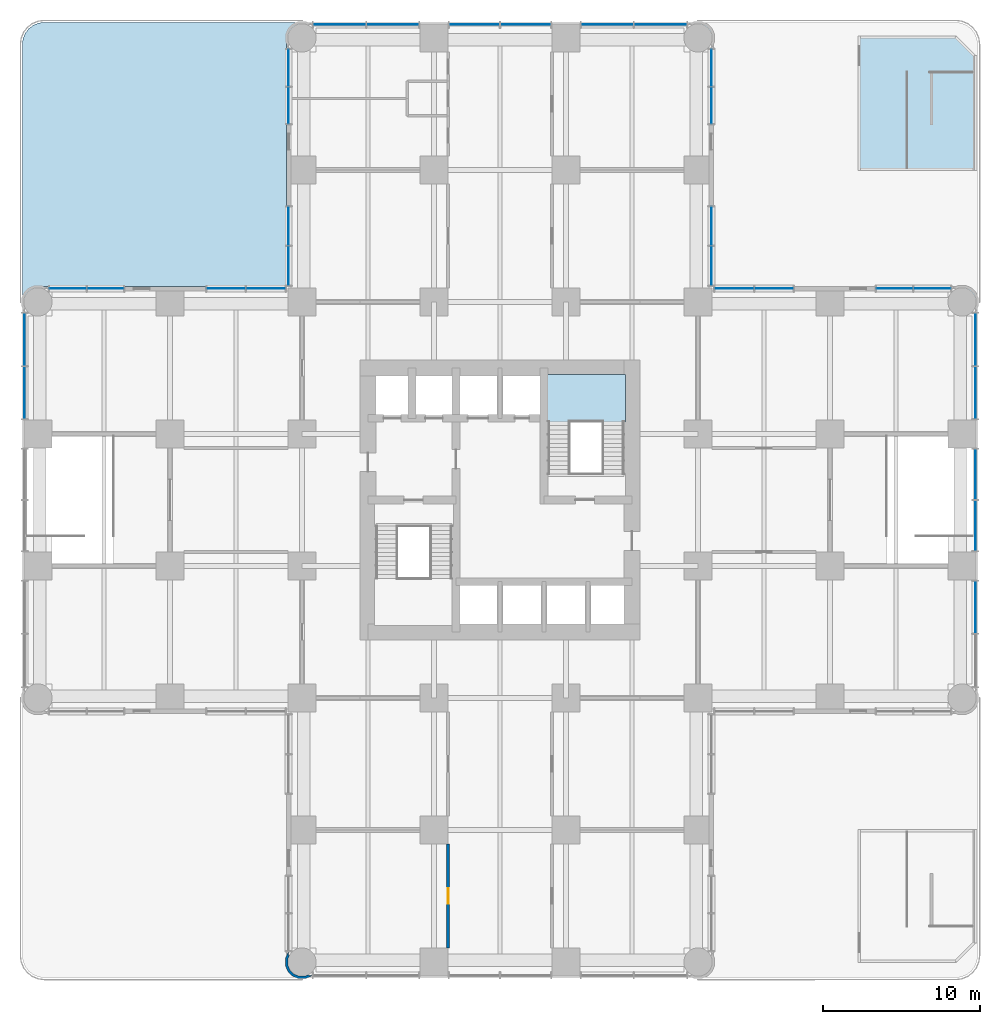
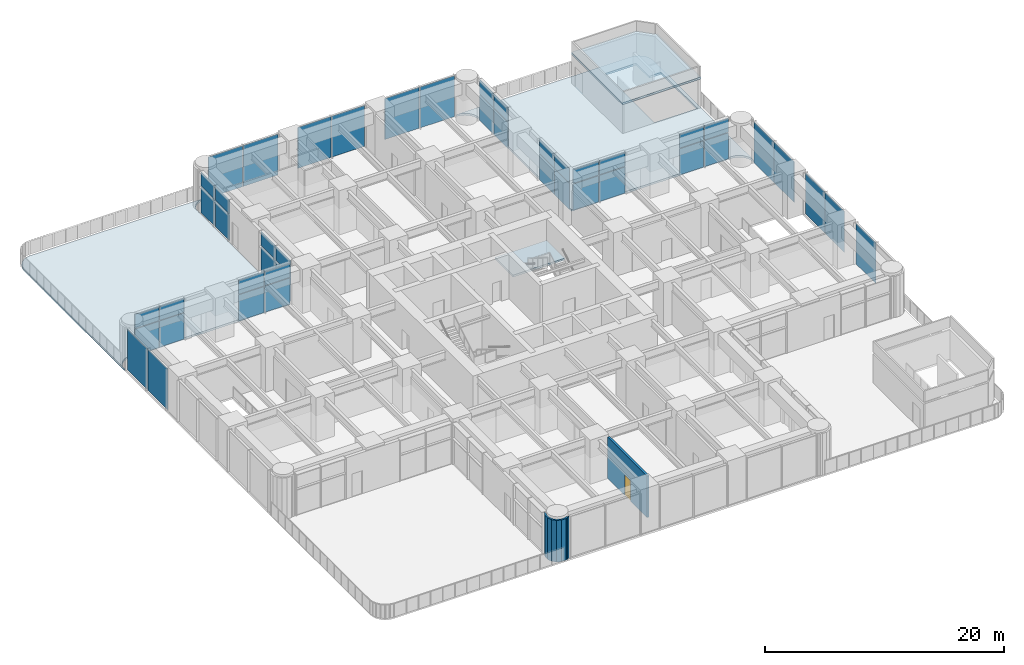
# One storey, part 9 of 21: 45 plates, 4 slabs, 2 walls, 1 door, 1 opening, 12 elements without a shape of their own.
"""IFC4 building model written with IfcOpenShell, lengths in metres."""

from ifc_helpers import new_model, si_unit, direction, frame, frame_2d, origin, origin_2d, place, context, subcontext, project, spatial, polyline, rectangle, outline, extrude, material, layer, layer_set, type_object, element, fill, aggregate, save


model = new_model("IFC4")

# Units and contexts
model_context = context("Model", 3, precision=1e-05, world=origin(), true_north=direction((0.0, 1.0)))
body_context = subcontext(model_context, "Body", "Model", "MODEL_VIEW")
ifc_project = project(units=[si_unit("LENGTHUNIT", "METRE"), si_unit("AREAUNIT", "SQUARE_METRE"), si_unit("VOLUMEUNIT", "CUBIC_METRE"), si_unit("PLANEANGLEUNIT", "RADIAN"), si_unit("MASSUNIT", "GRAM", prefix="KILO")], contexts=[model_context])

# Site, building, storey
site_placement = place(None, origin())
site = spatial("IfcSite", under=ifc_project, at=site_placement, CompositionType="ELEMENT")
building_placement = place(site_placement, origin())
building = spatial("IfcBuilding", under=site, at=building_placement, Name="Torre Alcanfor", CompositionType="ELEMENT")
storey_placement = place(building_placement, frame((0.0, 0.0, 24.0)))
storey = spatial("IfcBuildingStorey", under=building, at=storey_placement, Name="L05", CompositionType="ELEMENT", Elevation=24.0)

# Curtain wall, plates
ifc_material_1 = material(Name="Aluminium and glass", Category="aluminium")
curtain_wall_type_1 = type_object("IfcCurtainWallType", Name="CW-B unitised classroom glazing with vertical FIN", PredefinedType="NOTDEFINED", material=ifc_material_1)
curtain_wall_1_placement = place(storey_placement, origin())
curtain_wall_1 = element("IfcCurtainWall", 1, at=curtain_wall_1_placement, inside=storey, type_object=curtain_wall_type_1, Name="Curtain wall CW-B L05 2", PredefinedType="NOTDEFINED")
ifc_material_2 = material(Name="Glass", Category="glass")
ifc_layer_1 = layer(ifc_material_2, 0.028076171875)
ifc_layer_set_1 = layer_set([ifc_layer_1], Name="CW-B clear double glazed unit")
plate_type_1 = type_object("IfcPlateType", Name="CW-B clear double glazed unit", PredefinedType="CURTAIN_PANEL", material=ifc_layer_set_1)
plate_1_placement = place(storey_placement, frame((-0.85009765625, 39.619140625, 0.0), z_axis=(0.0, 0.0, 1.0), x_axis=(0.0, -1.0, 0.0)))
plate_1 = element("IfcPlate", 2, at=plate_1_placement, type_object=plate_type_1, Name="CW-B panel 1.1.1", PredefinedType="CURTAIN_PANEL", context=body_context, shape_type="SweptSolid", body=[
    extrude(rectangle(XDim=3.32275390625, YDim=0.028076171875, at=origin_2d()), origin(), (0.0, 0.0, 1.0), 4.18505859375),
])
plate_2_placement = place(storey_placement, frame((-0.85009765625, 36.2314453125, 0.0), z_axis=(0.0, 0.0, 1.0), x_axis=(0.0, -1.0, 0.0)))
plate_2 = element("IfcPlate", 3, at=plate_2_placement, type_object=plate_type_1, Name="CW-B panel 1.2.1", PredefinedType="CURTAIN_PANEL", context=body_context, shape_type="SweptSolid", body=[
    extrude(rectangle(XDim=3.32275390625, YDim=0.028076171875, at=origin_2d()), origin(), (0.0, 0.0, 1.0), 4.18505859375),
])
aggregate(curtain_wall_1, [plate_1, plate_2])

curtain_wall_2_placement = place(storey_placement, origin())
curtain_wall_2 = element("IfcCurtainWall", 4, at=curtain_wall_2_placement, inside=storey, type_object=curtain_wall_type_1, Name="Curtain wall CW-B L05 8", PredefinedType="NOTDEFINED")
plate_3_placement = place(storey_placement, frame((59.64990234375, 22.568603515625, 0.0), z_axis=(0.0, 0.0, 1.0), x_axis=(0.0, 1.0, 0.0)))
plate_3 = element("IfcPlate", 5, at=plate_3_placement, type_object=plate_type_1, Name="CW-B panel 1.2.1", PredefinedType="CURTAIN_PANEL", context=body_context, shape_type="SweptSolid", body=[
    extrude(rectangle(XDim=3.32275390625, YDim=0.028076171875, at=origin_2d()), origin(), (0.0, 0.0, 1.0), 4.18505859375),
])
plate_4_placement = place(storey_placement, frame((59.64990234375, 27.768798828125, 0.0), z_axis=(0.0, 0.0, 1.0), x_axis=(0.0, 1.0, 0.0)))
plate_4 = element("IfcPlate", 6, at=plate_4_placement, type_object=plate_type_1, Name="CW-B panel 2.1.1", PredefinedType="CURTAIN_PANEL", context=body_context, shape_type="SweptSolid", body=[
    extrude(rectangle(XDim=3.197509765625, YDim=0.028076171875, at=origin_2d()), origin(), (0.0, 0.0, 1.0), 4.18505859375),
])
plate_5_placement = place(storey_placement, frame((59.64990234375, 31.03125, 0.0), z_axis=(0.0, 0.0, 1.0), x_axis=(0.0, 1.0, 0.0)))
plate_5 = element("IfcPlate", 7, at=plate_5_placement, type_object=plate_type_1, Name="CW-B panel 2.2.1", PredefinedType="CURTAIN_PANEL", context=body_context, shape_type="SweptSolid", body=[
    extrude(rectangle(XDim=3.197509765625, YDim=0.028076171875, at=origin_2d()), origin(), (0.0, 0.0, 1.0), 4.18505859375),
])
plate_6_placement = place(storey_placement, frame((59.64990234375, 36.2314453125, 0.0), z_axis=(0.0, 0.0, 1.0), x_axis=(0.0, 1.0, 0.0)))
plate_6 = element("IfcPlate", 8, at=plate_6_placement, type_object=plate_type_1, Name="CW-B panel 3.1.1", PredefinedType="CURTAIN_PANEL", context=body_context, shape_type="SweptSolid", body=[
    extrude(rectangle(XDim=3.32275390625, YDim=0.028076171875, at=origin_2d()), origin(), (0.0, 0.0, 1.0), 4.18505859375),
])
plate_7_placement = place(storey_placement, frame((59.64990234375, 39.619140625, 0.0), z_axis=(0.0, 0.0, 1.0), x_axis=(0.0, 1.0, 0.0)))
plate_7 = element("IfcPlate", 9, at=plate_7_placement, type_object=plate_type_1, Name="CW-B panel 3.2.1", PredefinedType="CURTAIN_PANEL", context=body_context, shape_type="SweptSolid", body=[
    extrude(rectangle(XDim=3.32275390625, YDim=0.028076171875, at=origin_2d()), origin(), (0.0, 0.0, 1.0), 4.18505859375),
])
aggregate(curtain_wall_2, [plate_3, plate_4, plate_5, plate_6, plate_7])

curtain_wall_3_placement = place(storey_placement, origin())
curtain_wall_3 = element("IfcCurtainWall", 10, at=curtain_wall_3_placement, inside=storey, type_object=curtain_wall_type_1, Name="Curtain wall CW-B L05 11", PredefinedType="NOTDEFINED")
plate_8_placement = place(storey_placement, frame((39.619140625, 59.64990234375, 0.0), z_axis=(0.0, 0.0, 1.0), x_axis=(-1.0, 0.0, 0.0)))
plate_8 = element("IfcPlate", 11, at=plate_8_placement, type_object=plate_type_1, Name="CW-B panel 1.1.1", PredefinedType="CURTAIN_PANEL", context=body_context, shape_type="SweptSolid", body=[
    extrude(rectangle(XDim=3.32275390625, YDim=0.028076171875, at=origin_2d()), origin(), (0.0, 0.0, 1.0), 4.18505859375),
])
plate_9_placement = place(storey_placement, frame((36.2314453125, 59.64990234375, 0.0), z_axis=(0.0, 0.0, 1.0), x_axis=(-1.0, 0.0, 0.0)))
plate_9 = element("IfcPlate", 12, at=plate_9_placement, type_object=plate_type_1, Name="CW-B panel 1.2.1", PredefinedType="CURTAIN_PANEL", context=body_context, shape_type="SweptSolid", body=[
    extrude(rectangle(XDim=3.32275390625, YDim=0.028076171875, at=origin_2d()), origin(), (0.0, 0.0, 1.0), 4.18505859375),
])
plate_10_placement = place(storey_placement, frame((31.03125, 59.64990234375, 0.0), z_axis=(0.0, 0.0, 1.0), x_axis=(-1.0, 0.0, 0.0)))
plate_10 = element("IfcPlate", 13, at=plate_10_placement, type_object=plate_type_1, Name="CW-B panel 2.1.1", PredefinedType="CURTAIN_PANEL", context=body_context, shape_type="SweptSolid", body=[
    extrude(rectangle(XDim=3.197509765625, YDim=0.028076171875, at=origin_2d()), origin(), (0.0, 0.0, 1.0), 4.18505859375),
])
plate_11_placement = place(storey_placement, frame((27.768798828125, 59.64990234375, 0.0), z_axis=(0.0, 0.0, 1.0), x_axis=(-1.0, 0.0, 0.0)))
plate_11 = element("IfcPlate", 14, at=plate_11_placement, type_object=plate_type_1, Name="CW-B panel 2.2.1", PredefinedType="CURTAIN_PANEL", context=body_context, shape_type="SweptSolid", body=[
    extrude(rectangle(XDim=3.197509765625, YDim=0.028076171875, at=origin_2d()), origin(), (0.0, 0.0, 1.0), 4.18505859375),
])
plate_12_placement = place(storey_placement, frame((22.568603515625, 59.64990234375, 0.0), z_axis=(0.0, 0.0, 1.0), x_axis=(-1.0, 0.0, 0.0)))
plate_12 = element("IfcPlate", 15, at=plate_12_placement, type_object=plate_type_1, Name="CW-B panel 3.1.1", PredefinedType="CURTAIN_PANEL", context=body_context, shape_type="SweptSolid", body=[
    extrude(rectangle(XDim=3.32275390625, YDim=0.028076171875, at=origin_2d()), origin(), (0.0, 0.0, 1.0), 4.18505859375),
])
plate_13_placement = place(storey_placement, frame((19.180908203125, 59.64990234375, 0.0), z_axis=(0.0, 0.0, 1.0), x_axis=(-1.0, 0.0, 0.0)))
plate_13 = element("IfcPlate", 16, at=plate_13_placement, type_object=plate_type_1, Name="CW-B panel 3.2.1", PredefinedType="CURTAIN_PANEL", context=body_context, shape_type="SweptSolid", body=[
    extrude(rectangle(XDim=3.32275390625, YDim=0.028076171875, at=origin_2d()), origin(), (0.0, 0.0, 1.0), 4.18505859375),
])
aggregate(curtain_wall_3, [plate_8, plate_9, plate_10, plate_11, plate_12, plate_13])

ifc_material_3 = material(Name="Aluminium and glass", Category="aluminium")
curtain_wall_type_2 = type_object("IfcCurtainWallType", Name="CW-F south classroom glazing with SUNSHADE transom", PredefinedType="NOTDEFINED", material=ifc_material_3)
curtain_wall_4_placement = place(storey_placement, origin())
curtain_wall_4 = element("IfcCurtainWall", 17, at=curtain_wall_4_placement, inside=storey, type_object=curtain_wall_type_2, Name="Curtain wall CW-F L05 1", PredefinedType="NOTDEFINED")
ifc_material_4 = material(Name="Glass", Category="glass")
ifc_layer_2 = layer(ifc_material_4, 0.028076171875)
ifc_layer_set_2 = layer_set([ifc_layer_2], Name="CW-F clear double glazed unit")
plate_type_2 = type_object("IfcPlateType", Name="CW-F clear double glazed unit", PredefinedType="CURTAIN_PANEL", material=ifc_layer_set_2)
plate_14_placement = place(storey_placement, frame((14.50048828125, 42.85009765625, 0.0), z_axis=(0.0, 0.0, 1.0), x_axis=(-1.0, 0.0, 0.0)))
plate_14 = element("IfcPlate", 18, at=plate_14_placement, type_object=plate_type_2, Name="CW-F panel 1.1", PredefinedType="CURTAIN_PANEL", context=body_context, shape_type="SweptSolid", body=[
    extrude(rectangle(XDim=2.46923828125, YDim=0.028076171875, at=origin_2d()), origin(), (0.0, 0.0, 1.0), 2.66748046875),
])
plate_15_placement = place(storey_placement, frame((14.50048828125, 42.85009765625, 2.732421875), z_axis=(0.0, 0.0, 1.0), x_axis=(-1.0, 0.0, 0.0)))
plate_15 = element("IfcPlate", 19, at=plate_15_placement, type_object=plate_type_2, Name="CW-F panel 1.2", PredefinedType="CURTAIN_PANEL", context=body_context, shape_type="SweptSolid", body=[
    extrude(rectangle(XDim=2.46923828125, YDim=0.028076171875, at=origin_2d()), origin(), (0.0, 0.0, 1.0), 1.452392578125),
])
plate_16_placement = place(storey_placement, frame((11.96630859375, 42.85009765625, 0.0), z_axis=(0.0, 0.0, 1.0), x_axis=(-1.0, 0.0, 0.0)))
plate_16 = element("IfcPlate", 20, at=plate_16_placement, type_object=plate_type_2, Name="CW-F panel 2.1", PredefinedType="CURTAIN_PANEL", context=body_context, shape_type="SweptSolid", body=[
    extrude(rectangle(XDim=2.46923828125, YDim=0.028076171875, at=origin_2d()), origin(), (0.0, 0.0, 1.0), 2.66748046875),
])
plate_17_placement = place(storey_placement, frame((11.96630859375, 42.85009765625, 2.732421875), z_axis=(0.0, 0.0, 1.0), x_axis=(-1.0, 0.0, 0.0)))
plate_17 = element("IfcPlate", 21, at=plate_17_placement, type_object=plate_type_2, Name="CW-F panel 2.2", PredefinedType="CURTAIN_PANEL", context=body_context, shape_type="SweptSolid", body=[
    extrude(rectangle(XDim=2.46923828125, YDim=0.028076171875, at=origin_2d()), origin(), (0.0, 0.0, 1.0), 1.452392578125),
])
aggregate(curtain_wall_4, [plate_14, plate_15, plate_16, plate_17])

curtain_wall_5_placement = place(storey_placement, origin())
curtain_wall_5 = element("IfcCurtainWall", 22, at=curtain_wall_5_placement, inside=storey, type_object=curtain_wall_type_2, Name="Curtain wall CW-F L05 1", PredefinedType="NOTDEFINED")
plate_18_placement = place(storey_placement, frame((4.29736328125, 42.85009765625, 0.0), z_axis=(0.0, 0.0, 1.0), x_axis=(-1.0, 0.0, 0.0)))
plate_18 = element("IfcPlate", 23, at=plate_18_placement, type_object=plate_type_2, Name="CW-F panel 1.1.1", PredefinedType="CURTAIN_PANEL", context=body_context, shape_type="SweptSolid", body=[
    extrude(rectangle(XDim=2.341796875, YDim=0.028076171875, at=origin_2d()), origin(), (0.0, 0.0, 1.0), 2.66748046875),
])
plate_19_placement = place(storey_placement, frame((4.29736328125, 42.85009765625, 2.732421875), z_axis=(0.0, 0.0, 1.0), x_axis=(-1.0, 0.0, 0.0)))
plate_19 = element("IfcPlate", 24, at=plate_19_placement, type_object=plate_type_2, Name="CW-F panel 1.1.2", PredefinedType="CURTAIN_PANEL", context=body_context, shape_type="SweptSolid", body=[
    extrude(rectangle(XDim=2.341796875, YDim=0.028076171875, at=origin_2d()), origin(), (0.0, 0.0, 1.0), 1.452392578125),
])
plate_20_placement = place(storey_placement, frame((1.890380859375, 42.85009765625, 0.0), z_axis=(0.0, 0.0, 1.0), x_axis=(-1.0, 0.0, 0.0)))
plate_20 = element("IfcPlate", 25, at=plate_20_placement, type_object=plate_type_2, Name="CW-F panel 1.2.1", PredefinedType="CURTAIN_PANEL", context=body_context, shape_type="SweptSolid", body=[
    extrude(rectangle(XDim=2.341796875, YDim=0.028076171875, at=origin_2d()), origin(), (0.0, 0.0, 1.0), 2.66748046875),
])
plate_21_placement = place(storey_placement, frame((1.890380859375, 42.85009765625, 2.732421875), z_axis=(0.0, 0.0, 1.0), x_axis=(-1.0, 0.0, 0.0)))
plate_21 = element("IfcPlate", 26, at=plate_21_placement, type_object=plate_type_2, Name="CW-F panel 1.2.2", PredefinedType="CURTAIN_PANEL", context=body_context, shape_type="SweptSolid", body=[
    extrude(rectangle(XDim=2.341796875, YDim=0.028076171875, at=origin_2d()), origin(), (0.0, 0.0, 1.0), 1.452392578125),
])
aggregate(curtain_wall_5, [plate_18, plate_19, plate_20, plate_21])

curtain_wall_6_placement = place(storey_placement, origin())
curtain_wall_6 = element("IfcCurtainWall", 27, at=curtain_wall_6_placement, inside=storey, type_object=curtain_wall_type_2, Name="Curtain wall CW-F L05 9", PredefinedType="NOTDEFINED")
plate_22_placement = place(storey_placement, frame((56.90966796875, 42.85009765625, 0.0), z_axis=(0.0, 0.0, 1.0), x_axis=(-1.0, 0.0, 0.0)))
plate_22 = element("IfcPlate", 28, at=plate_22_placement, type_object=plate_type_2, Name="CW-F panel 1.1.1", PredefinedType="CURTAIN_PANEL", context=body_context, shape_type="SweptSolid", body=[
    extrude(rectangle(XDim=2.341796875, YDim=0.028076171875, at=origin_2d()), origin(), (0.0, 0.0, 1.0), 2.66748046875),
])
plate_23_placement = place(storey_placement, frame((56.90966796875, 42.85009765625, 2.732421875), z_axis=(0.0, 0.0, 1.0), x_axis=(-1.0, 0.0, 0.0)))
plate_23 = element("IfcPlate", 29, at=plate_23_placement, type_object=plate_type_2, Name="CW-F panel 1.1.2", PredefinedType="CURTAIN_PANEL", context=body_context, shape_type="SweptSolid", body=[
    extrude(rectangle(XDim=2.341796875, YDim=0.028076171875, at=origin_2d()), origin(), (0.0, 0.0, 1.0), 1.452392578125),
])
plate_24_placement = place(storey_placement, frame((54.502685546875, 42.85009765625, 0.0), z_axis=(0.0, 0.0, 1.0), x_axis=(-1.0, 0.0, 0.0)))
plate_24 = element("IfcPlate", 30, at=plate_24_placement, type_object=plate_type_2, Name="CW-F panel 1.2.1", PredefinedType="CURTAIN_PANEL", context=body_context, shape_type="SweptSolid", body=[
    extrude(rectangle(XDim=2.341796875, YDim=0.028076171875, at=origin_2d()), origin(), (0.0, 0.0, 1.0), 2.66748046875),
])
plate_25_placement = place(storey_placement, frame((54.502685546875, 42.85009765625, 2.732421875), z_axis=(0.0, 0.0, 1.0), x_axis=(-1.0, 0.0, 0.0)))
plate_25 = element("IfcPlate", 31, at=plate_25_placement, type_object=plate_type_2, Name="CW-F panel 1.2.2", PredefinedType="CURTAIN_PANEL", context=body_context, shape_type="SweptSolid", body=[
    extrude(rectangle(XDim=2.341796875, YDim=0.028076171875, at=origin_2d()), origin(), (0.0, 0.0, 1.0), 1.452392578125),
])
aggregate(curtain_wall_6, [plate_22, plate_23, plate_24, plate_25])

curtain_wall_7_placement = place(storey_placement, origin())
curtain_wall_7 = element("IfcCurtainWall", 32, at=curtain_wall_7_placement, inside=storey, type_object=curtain_wall_type_2, Name="Curtain wall CW-F L05 9", PredefinedType="NOTDEFINED")
plate_26_placement = place(storey_placement, frame((46.833740234375, 42.85009765625, 0.0), z_axis=(0.0, 0.0, 1.0), x_axis=(-1.0, 0.0, 0.0)))
plate_26 = element("IfcPlate", 33, at=plate_26_placement, type_object=plate_type_2, Name="CW-F panel 1.1", PredefinedType="CURTAIN_PANEL", context=body_context, shape_type="SweptSolid", body=[
    extrude(rectangle(XDim=2.46923828125, YDim=0.028076171875, at=origin_2d()), origin(), (0.0, 0.0, 1.0), 2.66748046875),
])
plate_27_placement = place(storey_placement, frame((46.833740234375, 42.85009765625, 2.732421875), z_axis=(0.0, 0.0, 1.0), x_axis=(-1.0, 0.0, 0.0)))
plate_27 = element("IfcPlate", 34, at=plate_27_placement, type_object=plate_type_2, Name="CW-F panel 1.2", PredefinedType="CURTAIN_PANEL", context=body_context, shape_type="SweptSolid", body=[
    extrude(rectangle(XDim=2.46923828125, YDim=0.028076171875, at=origin_2d()), origin(), (0.0, 0.0, 1.0), 1.452392578125),
])
plate_28_placement = place(storey_placement, frame((44.299560546875, 42.85009765625, 0.0), z_axis=(0.0, 0.0, 1.0), x_axis=(-1.0, 0.0, 0.0)))
plate_28 = element("IfcPlate", 35, at=plate_28_placement, type_object=plate_type_2, Name="CW-F panel 2.1", PredefinedType="CURTAIN_PANEL", context=body_context, shape_type="SweptSolid", body=[
    extrude(rectangle(XDim=2.46923828125, YDim=0.028076171875, at=origin_2d()), origin(), (0.0, 0.0, 1.0), 2.66748046875),
])
plate_29_placement = place(storey_placement, frame((44.299560546875, 42.85009765625, 2.732421875), z_axis=(0.0, 0.0, 1.0), x_axis=(-1.0, 0.0, 0.0)))
plate_29 = element("IfcPlate", 36, at=plate_29_placement, type_object=plate_type_2, Name="CW-F panel 2.2", PredefinedType="CURTAIN_PANEL", context=body_context, shape_type="SweptSolid", body=[
    extrude(rectangle(XDim=2.46923828125, YDim=0.028076171875, at=origin_2d()), origin(), (0.0, 0.0, 1.0), 1.452392578125),
])
aggregate(curtain_wall_7, [plate_26, plate_27, plate_28, plate_29])

curtain_wall_8_placement = place(storey_placement, origin())
curtain_wall_8 = element("IfcCurtainWall", 37, at=curtain_wall_8_placement, inside=storey, type_object=curtain_wall_type_2, Name="Curtain wall CW-F L05 10", PredefinedType="NOTDEFINED")
plate_30_placement = place(storey_placement, frame((42.85009765625, 44.299560546875, 0.0), z_axis=(0.0, 0.0, 1.0), x_axis=(0.0, 1.0, 0.0)))
plate_30 = element("IfcPlate", 38, at=plate_30_placement, type_object=plate_type_2, Name="CW-F panel 1.1", PredefinedType="CURTAIN_PANEL", context=body_context, shape_type="SweptSolid", body=[
    extrude(rectangle(XDim=2.46923828125, YDim=0.028076171875, at=origin_2d()), origin(), (0.0, 0.0, 1.0), 2.66748046875),
])
plate_31_placement = place(storey_placement, frame((42.85009765625, 44.299560546875, 2.732421875), z_axis=(0.0, 0.0, 1.0), x_axis=(0.0, 1.0, 0.0)))
plate_31 = element("IfcPlate", 39, at=plate_31_placement, type_object=plate_type_2, Name="CW-F panel 1.2", PredefinedType="CURTAIN_PANEL", context=body_context, shape_type="SweptSolid", body=[
    extrude(rectangle(XDim=2.46923828125, YDim=0.028076171875, at=origin_2d()), origin(), (0.0, 0.0, 1.0), 1.452392578125),
])
plate_32_placement = place(storey_placement, frame((42.85009765625, 46.833740234375, 0.0), z_axis=(0.0, 0.0, 1.0), x_axis=(0.0, 1.0, 0.0)))
plate_32 = element("IfcPlate", 40, at=plate_32_placement, type_object=plate_type_2, Name="CW-F panel 2.1", PredefinedType="CURTAIN_PANEL", context=body_context, shape_type="SweptSolid", body=[
    extrude(rectangle(XDim=2.46923828125, YDim=0.028076171875, at=origin_2d()), origin(), (0.0, 0.0, 1.0), 2.66748046875),
])
plate_33_placement = place(storey_placement, frame((42.85009765625, 46.833740234375, 2.732421875), z_axis=(0.0, 0.0, 1.0), x_axis=(0.0, 1.0, 0.0)))
plate_33 = element("IfcPlate", 41, at=plate_33_placement, type_object=plate_type_2, Name="CW-F panel 2.2", PredefinedType="CURTAIN_PANEL", context=body_context, shape_type="SweptSolid", body=[
    extrude(rectangle(XDim=2.46923828125, YDim=0.028076171875, at=origin_2d()), origin(), (0.0, 0.0, 1.0), 1.452392578125),
])
aggregate(curtain_wall_8, [plate_30, plate_31, plate_32, plate_33])

curtain_wall_9_placement = place(storey_placement, origin())
curtain_wall_9 = element("IfcCurtainWall", 42, at=curtain_wall_9_placement, inside=storey, type_object=curtain_wall_type_2, Name="Curtain wall CW-F L05 10", PredefinedType="NOTDEFINED")
plate_34_placement = place(storey_placement, frame((42.85009765625, 54.502685546875, 0.0), z_axis=(0.0, 0.0, 1.0), x_axis=(0.0, 1.0, 0.0)))
plate_34 = element("IfcPlate", 43, at=plate_34_placement, type_object=plate_type_2, Name="CW-F panel 1.1.1", PredefinedType="CURTAIN_PANEL", context=body_context, shape_type="SweptSolid", body=[
    extrude(rectangle(XDim=2.341796875, YDim=0.028076171875, at=origin_2d()), origin(), (0.0, 0.0, 1.0), 2.66748046875),
])
plate_35_placement = place(storey_placement, frame((42.85009765625, 54.502685546875, 2.732421875), z_axis=(0.0, 0.0, 1.0), x_axis=(0.0, 1.0, 0.0)))
plate_35 = element("IfcPlate", 44, at=plate_35_placement, type_object=plate_type_2, Name="CW-F panel 1.1.2", PredefinedType="CURTAIN_PANEL", context=body_context, shape_type="SweptSolid", body=[
    extrude(rectangle(XDim=2.341796875, YDim=0.028076171875, at=origin_2d()), origin(), (0.0, 0.0, 1.0), 1.452392578125),
])
plate_36_placement = place(storey_placement, frame((42.85009765625, 56.90966796875, 0.0), z_axis=(0.0, 0.0, 1.0), x_axis=(0.0, 1.0, 0.0)))
plate_36 = element("IfcPlate", 45, at=plate_36_placement, type_object=plate_type_2, Name="CW-F panel 1.2.1", PredefinedType="CURTAIN_PANEL", context=body_context, shape_type="SweptSolid", body=[
    extrude(rectangle(XDim=2.341796875, YDim=0.028076171875, at=origin_2d()), origin(), (0.0, 0.0, 1.0), 2.66748046875),
])
plate_37_placement = place(storey_placement, frame((42.85009765625, 56.90966796875, 2.732421875), z_axis=(0.0, 0.0, 1.0), x_axis=(0.0, 1.0, 0.0)))
plate_37 = element("IfcPlate", 46, at=plate_37_placement, type_object=plate_type_2, Name="CW-F panel 1.2.2", PredefinedType="CURTAIN_PANEL", context=body_context, shape_type="SweptSolid", body=[
    extrude(rectangle(XDim=2.341796875, YDim=0.028076171875, at=origin_2d()), origin(), (0.0, 0.0, 1.0), 1.452392578125),
])
aggregate(curtain_wall_9, [plate_34, plate_35, plate_36, plate_37])

curtain_wall_10_placement = place(storey_placement, origin())
curtain_wall_10 = element("IfcCurtainWall", 47, at=curtain_wall_10_placement, inside=storey, type_object=curtain_wall_type_2, Name="Curtain wall CW-F L05 12", PredefinedType="NOTDEFINED")
plate_38_placement = place(storey_placement, frame((15.949951171875, 56.90966796875, 0.0), z_axis=(0.0, 0.0, 1.0), x_axis=(0.0, -1.0, 0.0)))
plate_38 = element("IfcPlate", 48, at=plate_38_placement, type_object=plate_type_2, Name="CW-F panel 1.1.1", PredefinedType="CURTAIN_PANEL", context=body_context, shape_type="SweptSolid", body=[
    extrude(rectangle(XDim=2.341796875, YDim=0.028076171875, at=origin_2d()), origin(), (0.0, 0.0, 1.0), 2.66748046875),
])
plate_39_placement = place(storey_placement, frame((15.949951171875, 56.90966796875, 2.732421875), z_axis=(0.0, 0.0, 1.0), x_axis=(0.0, -1.0, 0.0)))
plate_39 = element("IfcPlate", 49, at=plate_39_placement, type_object=plate_type_2, Name="CW-F panel 1.1.2", PredefinedType="CURTAIN_PANEL", context=body_context, shape_type="SweptSolid", body=[
    extrude(rectangle(XDim=2.341796875, YDim=0.028076171875, at=origin_2d()), origin(), (0.0, 0.0, 1.0), 1.452392578125),
])
plate_40_placement = place(storey_placement, frame((15.949951171875, 54.502685546875, 0.0), z_axis=(0.0, 0.0, 1.0), x_axis=(0.0, -1.0, 0.0)))
plate_40 = element("IfcPlate", 50, at=plate_40_placement, type_object=plate_type_2, Name="CW-F panel 1.2.1", PredefinedType="CURTAIN_PANEL", context=body_context, shape_type="SweptSolid", body=[
    extrude(rectangle(XDim=2.341796875, YDim=0.028076171875, at=origin_2d()), origin(), (0.0, 0.0, 1.0), 2.66748046875),
])
plate_41_placement = place(storey_placement, frame((15.949951171875, 54.502685546875, 2.732421875), z_axis=(0.0, 0.0, 1.0), x_axis=(0.0, -1.0, 0.0)))
plate_41 = element("IfcPlate", 51, at=plate_41_placement, type_object=plate_type_2, Name="CW-F panel 1.2.2", PredefinedType="CURTAIN_PANEL", context=body_context, shape_type="SweptSolid", body=[
    extrude(rectangle(XDim=2.341796875, YDim=0.028076171875, at=origin_2d()), origin(), (0.0, 0.0, 1.0), 1.452392578125),
])
aggregate(curtain_wall_10, [plate_38, plate_39, plate_40, plate_41])

curtain_wall_11_placement = place(storey_placement, origin())
curtain_wall_11 = element("IfcCurtainWall", 52, at=curtain_wall_11_placement, inside=storey, type_object=curtain_wall_type_2, Name="Curtain wall CW-F L05 12", PredefinedType="NOTDEFINED")
plate_42_placement = place(storey_placement, frame((15.949951171875, 46.833740234375, 0.0), z_axis=(0.0, 0.0, 1.0), x_axis=(0.0, -1.0, 0.0)))
plate_42 = element("IfcPlate", 53, at=plate_42_placement, type_object=plate_type_2, Name="CW-F panel 1.1", PredefinedType="CURTAIN_PANEL", context=body_context, shape_type="SweptSolid", body=[
    extrude(rectangle(XDim=2.46923828125, YDim=0.028076171875, at=origin_2d()), origin(), (0.0, 0.0, 1.0), 2.66748046875),
])
plate_43_placement = place(storey_placement, frame((15.949951171875, 46.833740234375, 2.732421875), z_axis=(0.0, 0.0, 1.0), x_axis=(0.0, -1.0, 0.0)))
plate_43 = element("IfcPlate", 54, at=plate_43_placement, type_object=plate_type_2, Name="CW-F panel 1.2", PredefinedType="CURTAIN_PANEL", context=body_context, shape_type="SweptSolid", body=[
    extrude(rectangle(XDim=2.46923828125, YDim=0.028076171875, at=origin_2d()), origin(), (0.0, 0.0, 1.0), 1.452392578125),
])
plate_44_placement = place(storey_placement, frame((15.949951171875, 44.299560546875, 0.0), z_axis=(0.0, 0.0, 1.0), x_axis=(0.0, -1.0, 0.0)))
plate_44 = element("IfcPlate", 55, at=plate_44_placement, type_object=plate_type_2, Name="CW-F panel 2.1", PredefinedType="CURTAIN_PANEL", context=body_context, shape_type="SweptSolid", body=[
    extrude(rectangle(XDim=2.46923828125, YDim=0.028076171875, at=origin_2d()), origin(), (0.0, 0.0, 1.0), 2.66748046875),
])
plate_45_placement = place(storey_placement, frame((15.949951171875, 44.299560546875, 2.732421875), z_axis=(0.0, 0.0, 1.0), x_axis=(0.0, -1.0, 0.0)))
plate_45 = element("IfcPlate", 56, at=plate_45_placement, type_object=plate_type_2, Name="CW-F panel 2.2", PredefinedType="CURTAIN_PANEL", context=body_context, shape_type="SweptSolid", body=[
    extrude(rectangle(XDim=2.46923828125, YDim=0.028076171875, at=origin_2d()), origin(), (0.0, 0.0, 1.0), 1.452392578125),
])
aggregate(curtain_wall_11, [plate_42, plate_43, plate_44, plate_45])

# Slabs
ifc_material_5 = material(Name="Concrete f'c 35 MPa", Category="concrete")
ifc_layer_3 = layer(ifc_material_5, 0.199951171875)
ifc_layer_set_3 = layer_set([ifc_layer_3], Name="Roof slab 200")
slab_type_1 = type_object("IfcSlabType", Name="Roof slab 200", PredefinedType="ROOF", material=ifc_layer_set_3)
slab_1_placement = place(storey_placement, frame((0.0, 0.0, -0.199951171875)))
element("IfcSlab", 57, at=slab_1_placement, inside=storey, type_object=slab_type_1, Name="Roof slab L05 terrace 3", PredefinedType="ROOF", context=body_context, shape_type="SweptSolid", body=[
    extrude(outline(polyline([(-1.0, 41.60009765625), (-0.952392578125, 41.96240234375), (-0.8125, 42.300048828125), (-0.58984375, 42.58984375), (-0.300048828125, 42.8125), (0.03759765625, 42.952392578125), (0.39990234375, 43.0), (15.800048828125, 43.0), (15.800048828125, 58.39990234375), (15.84765625, 58.76220703125), (15.987548828125, 59.10009765625), (16.210205078125, 59.389892578125), (16.5, 59.6123046875), (16.837646484375, 59.752197265625), (17.199951171875, 59.800048828125), (0.39990234375, 59.800048828125), (0.03759765625, 59.752197265625), (-0.300048828125, 59.6123046875), (-0.58984375, 59.389892578125), (-0.8125, 59.10009765625), (-0.952392578125, 58.76220703125), (-1.0, 58.39990234375), (-1.0, 41.60009765625)])), origin(), (0.0, 0.0, 1.0), 0.199951171875),
])
slab_2_placement = place(storey_placement, frame((0.0, 0.0, -0.199951171875)))
element("IfcSlab", 58, at=slab_2_placement, inside=storey, type_object=slab_type_1, Name="Roof slab L05 terrace 4", PredefinedType="ROOF", context=body_context, shape_type="SweptSolid", body=[
    extrude(outline(polyline([(41.60009765625, 59.800048828125), (41.96240234375, 59.752197265625), (42.300048828125, 59.6123046875), (42.58984375, 59.389892578125), (42.8125, 59.10009765625), (42.952392578125, 58.76220703125), (43.0, 58.39990234375), (43.0, 43.0), (58.39990234375, 43.0), (58.76220703125, 42.952392578125), (59.10009765625, 42.8125), (59.389892578125, 42.58984375), (59.6123046875, 42.300048828125), (59.752197265625, 41.96240234375), (59.800048828125, 41.60009765625), (59.800048828125, 58.39990234375), (59.752197265625, 58.76220703125), (59.6123046875, 59.10009765625), (59.389892578125, 59.389892578125), (59.10009765625, 59.6123046875), (58.76220703125, 59.752197265625), (58.39990234375, 59.800048828125), (41.60009765625, 59.800048828125)]), holes=[polyline([(59.5, 56.574951171875), (59.5, 50.52490234375), (55.35009765625, 50.52490234375), (55.35009765625, 58.77490234375), (58.35009765625, 58.77490234375), (58.35009765625, 56.574951171875), (59.5, 56.574951171875)])]), origin(), (0.0, 0.0, 1.0), 0.199951171875),
])
ifc_material_6 = material(Name="Concrete f'c 35 MPa", Category="concrete")
ifc_layer_4 = layer(ifc_material_6, 0.199951171875)
ifc_layer_set_4 = layer_set([ifc_layer_4], Name="Stair head-house roof 200")
slab_type_2 = type_object("IfcSlabType", Name="Stair head-house roof 200", PredefinedType="ROOF", material=ifc_layer_set_4)
slab_3_placement = place(storey_placement, frame((0.0, 0.0, 3.0)))
element("IfcSlab", 59, at=slab_3_placement, inside=storey, type_object=slab_type_2, Name="Stair head-house roof SS4", PredefinedType="ROOF", context=body_context, shape_type="SweptSolid", body=[
    extrude(outline(polyline([(59.75, 57.675048828125), (59.75, 50.375), (59.64990234375, 50.375), (59.64990234375, 50.375), (52.175048828125, 50.375), (52.175048828125, 58.925048828125), (58.43115234375, 58.925048828125), (59.64990234375, 57.7060546875), (59.64990234375, 57.675048828125), (59.75, 57.675048828125)])), origin(), (0.0, 0.0, 1.0), 0.199951171875),
])

# Stair, slab
ifc_material_7 = material(Name="Concrete f'c 35 MPa", Category="concrete")
stair_type = type_object("IfcStairType", Name="Exit stair S2 1400 wide", PredefinedType="HALF_TURN_STAIR", material=ifc_material_7)
stair_placement = place(storey_placement, origin())
stair = element("IfcStair", 60, at=stair_placement, inside=storey, type_object=stair_type, Name="Stair S2 L05 to L06", PredefinedType="HALF_TURN_STAIR")
ifc_material_8 = material(Name="Concrete f'c 35 MPa", Category="concrete")
ifc_layer_5 = layer(ifc_material_8, 0.199951171875)
ifc_layer_set_5 = layer_set([ifc_layer_5], Name="Stair landing 200")
slab_type_3 = type_object("IfcSlabType", Name="Stair landing 200", PredefinedType="LANDING", material=ifc_layer_set_5)
slab_4_placement = place(storey_placement, frame((0.0, 0.0, 2.050048828125)))
slab_4 = element("IfcSlab", 61, at=slab_4_placement, type_object=slab_type_3, Name="S2 landing 2", PredefinedType="LANDING", context=body_context, shape_type="SweptSolid", body=[
    extrude(outline(polyline([(32.3701171875, 34.360107421875), (37.3798828125, 34.360107421875), (37.3798828125, 37.3798828125), (32.3701171875, 37.3798828125), (32.3701171875, 34.360107421875)])), origin(), (0.0, 0.0, 1.0), 0.199951171875),
])
aggregate(stair, [slab_4])

# Wall
ifc_material_9 = material(Name="Limestone cladding", Category="masonry")
ifc_layer_6 = layer(ifc_material_9, 0.0400390625, Name="Facing")
ifc_material_10 = material(Name="Ventilated air cavity")
ifc_layer_7 = layer(ifc_material_10, 0.02001953125, ventilated=True, Name="Ventilated joint")
ifc_material_11 = material(Name="Mineral wool insulation", Category="insulation")
ifc_layer_8 = layer(ifc_material_11, 0.10009765625, Name="Insulation")
ifc_material_12 = material(Name="Concrete f'c 35 MPa", Category="concrete")
ifc_layer_9 = layer(ifc_material_12, 0.139892578125, Name="Backing")
ifc_layer_set_6 = layer_set([ifc_layer_6, ifc_layer_7, ifc_layer_8, ifc_layer_9], Name="Rounded corner pier stone-clad 300")
wall_type_1 = type_object("IfcWallType", Name="Rounded corner pier stone-clad 300", PredefinedType="SOLIDWALL", material=ifc_layer_set_6)
wall_1_placement = place(storey_placement, frame((16.02113156, 0.594780593, 0.0), z_axis=(0.0, 0.0, 1.0), x_axis=(-0.707106781187, -0.707106781187, 0.0)))
element("IfcWall", 62, at=wall_1_placement, inside=storey, type_object=wall_type_1, Name="Corner pier L05 15", PredefinedType="SOLIDWALL", context=body_context, shape_type="SweptSolid", body=[
    extrude(outline(polyline([(0.2941288304624975, 1.9612315131675095), (0.27859181622744134, 1.9494924357454675), (0.08075383496772859, 2.031320710716762), (0.011873071858980344, 2.031493344208263), (0.17414855386956507, 1.869217862197678), (0.13288914940091645, 1.8376259332530642), (0.3801003092298071, 1.7350816393016948), (0.6335262747527202, 1.4816556737787818), (0.7709425339872152, 1.150544637080589), (0.7709425339872151, 0.7921575087252977), (0.6336989082442208, 0.46087383853560415), (0.3802729427213078, 0.20744787301269113), (0.1328891494009165, 0.10507621255282232), (0.17414855386956515, 0.0734842836082085), (0.01187307185898051, -0.08879119840237615), (0.08075383496772867, -0.08861856491087552), (0.27859181622744145, -0.006790289939580696), (0.29412883046249744, -0.018529367361623028), (0.3146722159510714, 0.008228823820973397), (0.47038762528463246, 0.07279374964220603), (0.7683530316147059, 0.3707591559722795), (0.9297653461677875, 0.7603929462891832), (0.9297653461677874, 1.1823091995167032), (0.7685256651062065, 1.5717703563421064), (0.4703876252846323, 1.8699083961636807), (0.3146722159510714, 1.934473321984913), (0.2941288304624975, 1.9612315131675095)])), origin(), (0.0, 0.0, 1.0), 4.25),
])

# Wall, opening, door
ifc_material_13 = material(Name="Concrete block masonry, hollow blocks NMX-C-404 9 MPa", Category="masonry")
ifc_layer_10 = layer(ifc_material_13, 0.199951171875)
ifc_layer_set_7 = layer_set([ifc_layer_10], Name="School corridor wall 200")
wall_type_2 = type_object("IfcWallType", Name="School corridor wall 200", PredefinedType="PARTITIONING", material=ifc_layer_set_7)
wall_2_placement = place(storey_placement, frame((26.10009765625, 7.5, 0.0), z_axis=(0.0, 0.0, 1.0), x_axis=(0.0, -1.0, 0.0)))
wall_2 = element("IfcWall", 63, at=wall_2_placement, inside=storey, type_object=wall_type_2, Name="Partition L05-01 / L05-CORR2", PredefinedType="PARTITIONING", context=body_context, shape_type="SweptSolid", body=[
    extrude(rectangle(XDim=6.60009765625, YDim=0.199951171875, at=frame_2d((3.300048828125, 0.0))), origin(), (0.0, 0.0, 1.0), 4.25),
])
opening_placement = place(wall_2_placement, frame((2.800048828125, 0.0, 0.0)))
opening = element("IfcOpeningElement", 64, at=opening_placement, cuts=wall_2, Name="Opening D-C1", PredefinedType="OPENING", context=body_context, shape_type="SweptSolid", body=[
    extrude(rectangle(XDim=1.0, YDim=2.10009765625, at=frame_2d((0.5, 1.050048828125))), frame((0.0, 0.10986328125, 0.0), z_axis=(0.0, -1.0, 0.0), x_axis=(1.0, 0.0, 0.0)), (0.0, 0.0, 1.0), 0.219970703125),
])
ifc_material_14 = material(Name="Timber", Category="wood")
door_type = type_object("IfcDoorType", Name="Classroom door 1000x2100", OperationType="SINGLE_SWING_RIGHT", PredefinedType="DOOR", material=ifc_material_14)
door_placement = place(opening_placement, frame((1.0, 0.0, 0.0), z_axis=(0.0, 0.0, 1.0), x_axis=(-1.0, 0.0, 0.0)))
door = element("IfcDoor", 65, at=door_placement, inside=storey, type_object=door_type, Name="Door L05-01 classroom", OperationType="SINGLE_SWING_RIGHT", OverallHeight=2.10009765625, OverallWidth=1.0, PredefinedType="DOOR", context=body_context, shape_type="SweptSolid", body=[
    extrude(rectangle(XDim=1.0, YDim=2.10009765625, at=frame_2d((0.5, 1.050048828125))), frame((0.0, 0.025146484375, 0.0), z_axis=(0.0, -1.0, 0.0), x_axis=(1.0, 0.0, 0.0)), (0.0, 0.0, 1.0), 0.050048828125),
])
fill(opening, door)

save(model, "model.ifc")
